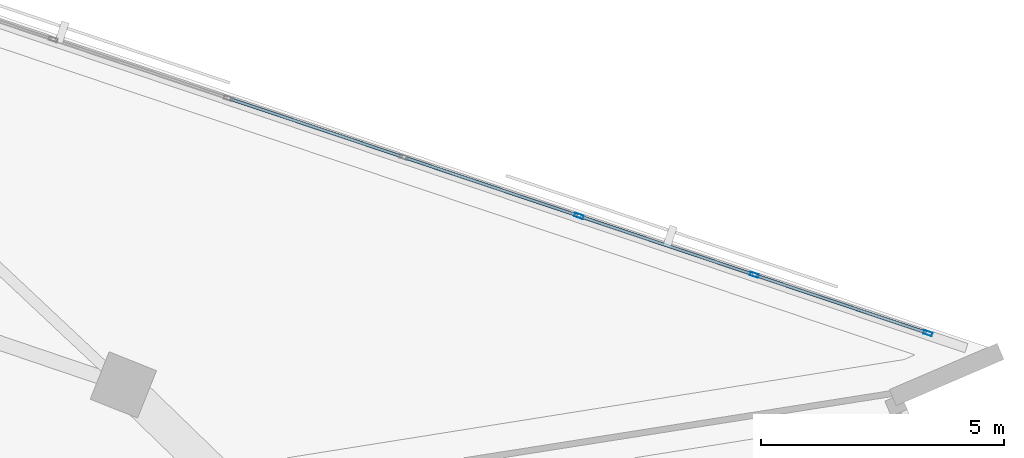
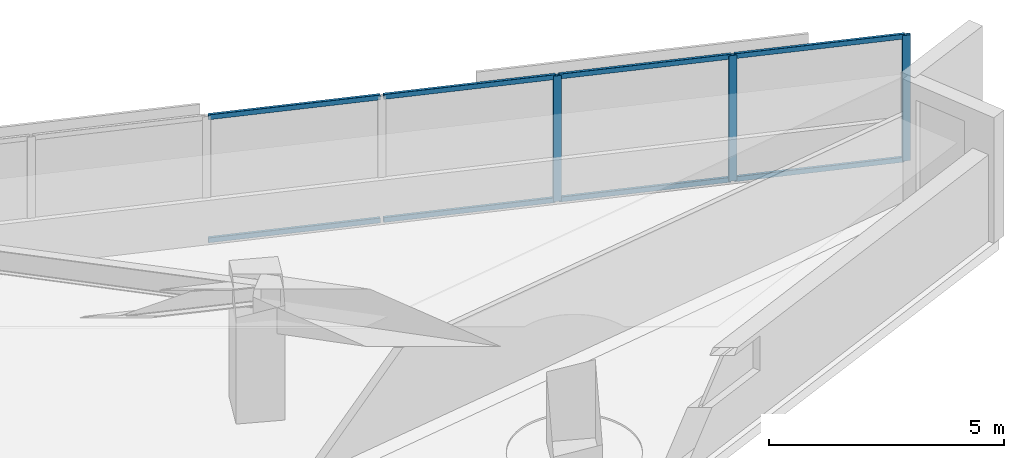
# One storey, part 5 of 14: 11 members, 1 element without a shape of its own.
"""IFC4 building model written with IfcOpenShell, lengths in metres."""

from ifc_helpers import new_model, si_unit, direction, frame, origin, origin_2d, place, context, subcontext, project, spatial, hollow_rectangle, extrude, material, material_profile, profile_set, type_object, element, aggregate, save


model = new_model("IFC4")

# Units and contexts
model_context = context("Model", 3, precision=1e-05, world=origin(), true_north=direction((0.0, 1.0)))
body_context = subcontext(model_context, "Body", "Model", "MODEL_VIEW")
ifc_project = project(units=[si_unit("LENGTHUNIT", "METRE"), si_unit("AREAUNIT", "SQUARE_METRE"), si_unit("VOLUMEUNIT", "CUBIC_METRE"), si_unit("PLANEANGLEUNIT", "RADIAN"), si_unit("MASSUNIT", "GRAM", prefix="KILO")], contexts=[model_context])

# Site, building, storey
site_placement = place(None, origin())
site = spatial("IfcSite", under=ifc_project, at=site_placement, CompositionType="ELEMENT")
building_placement = place(site_placement, origin())
building = spatial("IfcBuilding", under=site, at=building_placement, Name="Narakoshi Arena Tower", CompositionType="ELEMENT")
storey_placement = place(building_placement, frame((0.0, 0.0, 179.10009765625)))
storey = spatial("IfcBuildingStorey", under=building, at=storey_placement, Name="L48", CompositionType="ELEMENT", Elevation=179.10009765625)

# Curtain wall, members
ifc_material = material(Name="Anodised bronze aluminium 6063-T6", Category="aluminium")
curtain_wall_type = type_object("IfcCurtainWallType", Name="CW-HYP-MID", PredefinedType="NOTDEFINED", material=ifc_material)
curtain_wall_placement = place(storey_placement, origin())
curtain_wall = element("IfcCurtainWall", 1, at=curtain_wall_placement, inside=storey, type_object=curtain_wall_type, Name="L48 Folded Hypotenuse Curtain Wall 1-1", PredefinedType="NOTDEFINED")
ifc_material_profile_1 = material_profile(ifc_material, hollow_rectangle(XDim=0.074951171875, YDim=0.179931640625, WallThickness=0.00390625, OuterFilletRadius=0.0048828125, at=origin_2d()), Name="MUL180x75x4")
ifc_profile_set_1 = profile_set([ifc_material_profile_1], Name="Anodised bronze aluminium 6063-T6")
member_type_1 = type_object("IfcMemberType", Name="MEM-MUL-180", PredefinedType="MULLION", material=ifc_profile_set_1)
member_1_placement = place(storey_placement, frame((116.57080078125, 52.6513671875, 0.0), z_axis=(0.0, 0.0, 1.0), x_axis=(-0.318260960253, -0.948003144077, 0.0)))
member_1 = element("IfcMember", 2, at=member_1_placement, type_object=member_type_1, Name="CW-02 mullion 1", PredefinedType="MULLION", context=body_context, shape_type="SweptSolid", body=[
    extrude(hollow_rectangle(XDim=0.074951171875, YDim=0.179931640625, WallThickness=0.00390625, OuterFilletRadius=0.0048828125, at=origin_2d()), origin(), (0.0, 0.0, 1.0), 3.260009765625),
])
member_2_placement = place(storey_placement, frame((112.998779296875, 53.8505859375, 0.0), z_axis=(0.0, 0.0, 1.0), x_axis=(-0.318260960253, -0.948003144077, 0.0)))
member_2 = element("IfcMember", 3, at=member_2_placement, type_object=member_type_1, Name="CW-02 mullion 2", PredefinedType="MULLION", context=body_context, shape_type="SweptSolid", body=[
    extrude(hollow_rectangle(XDim=0.074951171875, YDim=0.179931640625, WallThickness=0.00390625, OuterFilletRadius=0.0048828125, at=origin_2d()), origin(), (0.0, 0.0, 1.0), 3.260009765625),
])
member_3_placement = place(storey_placement, frame((109.39111328125, 55.061767578125, 0.0), z_axis=(0.0, 0.0, 1.0), x_axis=(-0.318260960253, -0.948003144077, 0.0)))
member_3 = element("IfcMember", 4, at=member_3_placement, type_object=member_type_1, Name="CW-02 mullion 3", PredefinedType="MULLION", context=body_context, shape_type="SweptSolid", body=[
    extrude(hollow_rectangle(XDim=0.074951171875, YDim=0.179931640625, WallThickness=0.00390625, OuterFilletRadius=0.0048828125, at=origin_2d()), origin(), (0.0, 0.0, 1.0), 3.260009765625),
])
ifc_material_profile_2 = material_profile(ifc_material, hollow_rectangle(XDim=0.06494140625, YDim=0.1298828125, WallThickness=0.00390625, OuterFilletRadius=0.0048828125, at=origin_2d()), Name="TRN130x65x4")
ifc_profile_set_2 = profile_set([ifc_material_profile_2], Name="Anodised bronze aluminium 6063-T6")
member_type_2 = type_object("IfcMemberType", Name="MEM-TRN-130", PredefinedType="USERDEFINED", material=ifc_profile_set_2)
member_4_placement = place(storey_placement, frame((116.53515625, 52.663330078125, 0.032470703125), z_axis=(-0.948006826737, 0.31824999051, 0.0), x_axis=(-0.31824999051, -0.948006826737, 0.0)))
member_4 = element("IfcMember", 5, at=member_4_placement, type_object=member_type_2, Name="CW-02 transom 1.1", ObjectType="TRANSOM", PredefinedType="USERDEFINED", context=body_context, shape_type="SweptSolid", body=[
    extrude(hollow_rectangle(XDim=0.06494140625, YDim=0.1298828125, WallThickness=0.00390625, OuterFilletRadius=0.0048828125, at=origin_2d()), origin(), (0.0, 0.0, 1.0), 3.69287109375),
])
member_5_placement = place(storey_placement, frame((116.53515625, 52.663330078125, 3.227294921875), z_axis=(-0.948006826737, 0.31824999051, 0.0), x_axis=(-0.31824999051, -0.948006826737, 0.0)))
member_5 = element("IfcMember", 6, at=member_5_placement, type_object=member_type_2, Name="CW-02 transom 1.2", ObjectType="TRANSOM", PredefinedType="USERDEFINED", context=body_context, shape_type="SweptSolid", body=[
    extrude(hollow_rectangle(XDim=0.06494140625, YDim=0.1298828125, WallThickness=0.00390625, OuterFilletRadius=0.0048828125, at=origin_2d()), origin(), (0.0, 0.0, 1.0), 3.69287109375),
])
member_6_placement = place(storey_placement, frame((112.963134765625, 53.862548828125, 0.032470703125), z_axis=(-0.948000451231, 0.318268981314, 0.0), x_axis=(-0.318268981314, -0.948000451231, 0.0)))
member_6 = element("IfcMember", 7, at=member_6_placement, type_object=member_type_2, Name="CW-02 transom 2.1", ObjectType="TRANSOM", PredefinedType="USERDEFINED", context=body_context, shape_type="SweptSolid", body=[
    extrude(hollow_rectangle(XDim=0.06494140625, YDim=0.1298828125, WallThickness=0.00390625, OuterFilletRadius=0.0048828125, at=origin_2d()), origin(), (0.0, 0.0, 1.0), 3.73046875),
])
member_7_placement = place(storey_placement, frame((112.963134765625, 53.862548828125, 3.227294921875), z_axis=(-0.948000451231, 0.318268981314, 0.0), x_axis=(-0.318268981314, -0.948000451231, 0.0)))
member_7 = element("IfcMember", 8, at=member_7_placement, type_object=member_type_2, Name="CW-02 transom 2.2", ObjectType="TRANSOM", PredefinedType="USERDEFINED", context=body_context, shape_type="SweptSolid", body=[
    extrude(hollow_rectangle(XDim=0.06494140625, YDim=0.1298828125, WallThickness=0.00390625, OuterFilletRadius=0.0048828125, at=origin_2d()), origin(), (0.0, 0.0, 1.0), 3.73046875),
])
member_8_placement = place(storey_placement, frame((109.35546875, 55.073486328125, 0.032470703125), z_axis=(-0.948000451231, 0.318268981314, 0.0), x_axis=(-0.318268981314, -0.948000451231, 0.0)))
member_8 = element("IfcMember", 9, at=member_8_placement, type_object=member_type_2, Name="CW-02 transom 3.1", ObjectType="TRANSOM", PredefinedType="USERDEFINED", context=body_context, shape_type="SweptSolid", body=[
    extrude(hollow_rectangle(XDim=0.06494140625, YDim=0.1298828125, WallThickness=0.00390625, OuterFilletRadius=0.0048828125, at=origin_2d()), origin(), (0.0, 0.0, 1.0), 3.73046875),
])
member_9_placement = place(storey_placement, frame((109.35546875, 55.073486328125, 3.227294921875), z_axis=(-0.948000451231, 0.318268981314, 0.0), x_axis=(-0.318268981314, -0.948000451231, 0.0)))
member_9 = element("IfcMember", 10, at=member_9_placement, type_object=member_type_2, Name="CW-02 transom 3.2", ObjectType="TRANSOM", PredefinedType="USERDEFINED", context=body_context, shape_type="SweptSolid", body=[
    extrude(hollow_rectangle(XDim=0.06494140625, YDim=0.1298828125, WallThickness=0.00390625, OuterFilletRadius=0.0048828125, at=origin_2d()), origin(), (0.0, 0.0, 1.0), 3.73046875),
])
member_10_placement = place(storey_placement, frame((105.748046875, 56.28466796875, 0.032470703125), z_axis=(-0.948007080082, 0.318249235844, 0.0), x_axis=(-0.318249235844, -0.948007080082, 0.0)))
member_10 = element("IfcMember", 11, at=member_10_placement, type_object=member_type_2, Name="CW-02 transom 4.1", ObjectType="TRANSOM", PredefinedType="USERDEFINED", context=body_context, shape_type="SweptSolid", body=[
    extrude(hollow_rectangle(XDim=0.06494140625, YDim=0.1298828125, WallThickness=0.00390625, OuterFilletRadius=0.0048828125, at=origin_2d()), origin(), (0.0, 0.0, 1.0), 3.73046875),
])
member_11_placement = place(storey_placement, frame((105.748046875, 56.28466796875, 3.227294921875), z_axis=(-0.948007080082, 0.318249235844, 0.0), x_axis=(-0.318249235844, -0.948007080082, 0.0)))
member_11 = element("IfcMember", 12, at=member_11_placement, type_object=member_type_2, Name="CW-02 transom 4.2", ObjectType="TRANSOM", PredefinedType="USERDEFINED", context=body_context, shape_type="SweptSolid", body=[
    extrude(hollow_rectangle(XDim=0.06494140625, YDim=0.1298828125, WallThickness=0.00390625, OuterFilletRadius=0.0048828125, at=origin_2d()), origin(), (0.0, 0.0, 1.0), 3.73046875),
])
aggregate(curtain_wall, [member_1, member_2, member_3, member_4, member_5, member_6, member_7, member_8, member_9, member_10, member_11])

save(model, "model.ifc")
